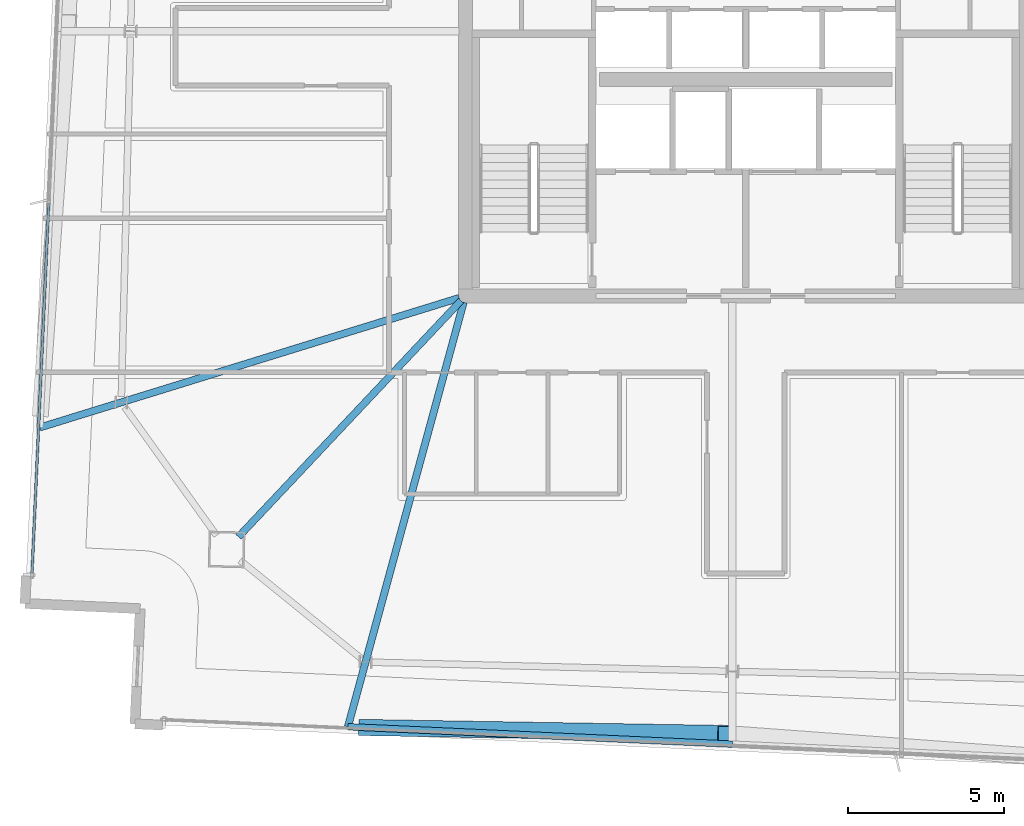
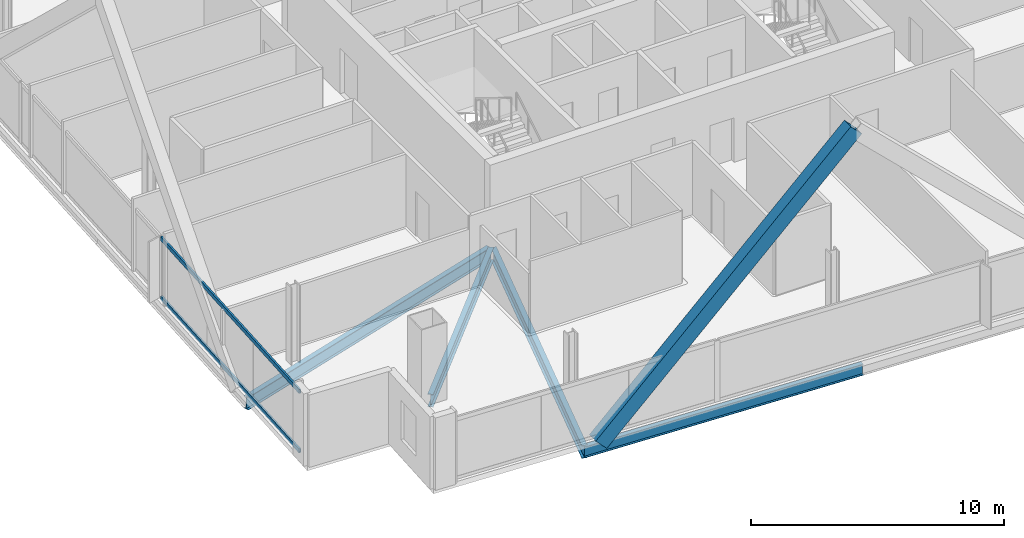
# One storey, part 3 of 26: 4 beams, 3 members, 1 element without a shape of its own.
"""IFC4 building model written with IfcOpenShell, lengths in metres."""

from ifc_helpers import new_model, si_unit, direction, frame, origin, origin_2d, place, context, subcontext, project, spatial, hollow_rectangle, i_section, extrude, material, material_profile, profile_set, type_object, element, aggregate, save


model = new_model("IFC4")

# Units and contexts
model_context = context("Model", 3, precision=1e-05, world=origin(), true_north=direction((0.0, 1.0)))
body_context = subcontext(model_context, "Body", "Model", "MODEL_VIEW")
ifc_project = project(units=[si_unit("LENGTHUNIT", "METRE"), si_unit("AREAUNIT", "SQUARE_METRE"), si_unit("VOLUMEUNIT", "CUBIC_METRE"), si_unit("PLANEANGLEUNIT", "RADIAN"), si_unit("MASSUNIT", "GRAM", prefix="KILO")], contexts=[model_context])

# Site, building, storey
site_placement = place(None, origin())
site = spatial("IfcSite", under=ifc_project, at=site_placement, CompositionType="ELEMENT")
building_placement = place(site_placement, origin())
building = spatial("IfcBuilding", under=site, at=building_placement, Name="Haldenkirk Collegiate Tower", CompositionType="ELEMENT")
storey_placement = place(building_placement, frame((0.0, 0.0, 321.449951171875)))
storey = spatial("IfcBuildingStorey", under=building, at=storey_placement, Name="L81", CompositionType="ELEMENT", Elevation=321.449951171875)

# Beams
ifc_material_1 = material(Name="Steel ASTM A992 Grade 50", Category="steel")
ifc_material_profile_1 = material_profile(ifc_material_1, i_section(OverallWidth=0.22998046875, OverallDepth=0.616943359375, WebThickness=0.01318359375, FlangeThickness=0.022216796875, at=origin_2d()), Name="W24X94")
ifc_profile_set_1 = profile_set([ifc_material_profile_1], Name="Steel ASTM A992 Grade 50")
beam_type_1 = type_object("IfcBeamType", Name="BM-GIRDER-W24X94", PredefinedType="BEAM", material=ifc_profile_set_1)
beam_1_placement = place(storey_placement, frame((19.717041015625, 10.2705078125, -0.568359375), z_axis=(0.685767478835, 0.72782069562, 0.0), x_axis=(-0.72782069562, 0.685767478835, 0.0)))
element("IfcBeam", 1, at=beam_1_placement, inside=storey, type_object=beam_type_1, Name="L81 primary floor girder 04", PredefinedType="BEAM", context=body_context, shape_type="SweptSolid", body=[
    extrude(i_section(OverallWidth=0.22998046875, OverallDepth=0.616943359375, WebThickness=0.01318359375, FlangeThickness=0.022216796875, at=origin_2d()), origin(), (0.0, 0.0, 1.0), 10.4150390625),
])
beam_2_placement = place(storey_placement, frame((13.34228515625, 13.780517578125, -0.568359375), z_axis=(0.955443075256, 0.295175422325, 0.0), x_axis=(-0.295175422325, 0.955443075256, 0.0)))
element("IfcBeam", 2, at=beam_2_placement, inside=storey, type_object=beam_type_1, Name="L81 primary floor girder 13", PredefinedType="BEAM", context=body_context, shape_type="SweptSolid", body=[
    extrude(i_section(OverallWidth=0.22998046875, OverallDepth=0.616943359375, WebThickness=0.01318359375, FlangeThickness=0.022216796875, at=origin_2d()), origin(), (0.0, 0.0, 1.0), 14.089599609375),
])
beam_3_placement = place(storey_placement, frame((23.230224609375, 4.1767578125, -0.568359375), z_axis=(0.263102778598, 0.964767810353, 0.0), x_axis=(-0.964767810353, 0.263102778598, 0.0)))
element("IfcBeam", 3, at=beam_3_placement, inside=storey, type_object=beam_type_1, Name="L81 primary floor girder 14", PredefinedType="BEAM", context=body_context, shape_type="SweptSolid", body=[
    extrude(i_section(OverallWidth=0.22998046875, OverallDepth=0.616943359375, WebThickness=0.01318359375, FlangeThickness=0.022216796875, at=origin_2d()), origin(), (0.0, 0.0, 1.0), 14.123046875),
])
ifc_material_profile_2 = material_profile(ifc_material_1, i_section(OverallWidth=0.2099609375, OverallDepth=0.537109375, WebThickness=0.010986328125, FlangeThickness=0.017333984375, at=origin_2d()), Name="W21X68")
ifc_profile_set_2 = profile_set([ifc_material_profile_2], Name="Steel ASTM A992 Grade 50")
beam_type_2 = type_object("IfcBeamType", Name="BM-SPANDREL-W21X68", PredefinedType="SPANDREL", material=ifc_profile_set_2)
beam_4_placement = place(storey_placement, frame((23.230224609375, 4.1767578125, -0.528564453125), z_axis=(0.998971228576, -0.04534847822, 0.0), x_axis=(0.04534847822, 0.998971228576, 0.0)))
element("IfcBeam", 4, at=beam_4_placement, inside=storey, type_object=beam_type_2, Name="L81 outer facade edge beam 4A", PredefinedType="SPANDREL", context=body_context, shape_type="SweptSolid", body=[
    extrude(i_section(OverallWidth=0.2099609375, OverallDepth=0.537109375, WebThickness=0.010986328125, FlangeThickness=0.017333984375, at=origin_2d()), origin(), (0.0, 0.0, 1.0), 12.35009765625),
])

# Curtain wall, members
ifc_material_2 = material(Name="Anodised architectural bronze aluminium", Category="aluminium")
curtain_wall_type = type_object("IfcCurtainWallType", Name="CW-SYS1B-CONVEX-HI", PredefinedType="USERDEFINED", material=ifc_material_2)
curtain_wall_placement = place(storey_placement, origin())
curtain_wall = element("IfcCurtainWall", 5, at=curtain_wall_placement, inside=storey, type_object=curtain_wall_type, Name="L81 Upper tower high-wind convex bronze unitised curtain wall", ObjectType="UNITISED CURTAIN WALL", PredefinedType="USERDEFINED")
ifc_material_profile_3 = material_profile(ifc_material_2, hollow_rectangle(XDim=0.0849609375, YDim=0.199951171875, WallThickness=0.0048828125, at=origin_2d()), Name="CW-TRN-1B")
ifc_profile_set_3 = profile_set([ifc_material_profile_3], Name="Anodised architectural bronze aluminium")
member_type_1 = type_object("IfcMemberType", Name="CW-TRN-1B", PredefinedType="USERDEFINED", material=ifc_profile_set_3)
member_1_placement = place(storey_placement, frame((13.090087890625, 9.10693359375, 0.04248046875), z_axis=(0.045363819627, 0.998970532032, 0.0), x_axis=(-0.998970532032, 0.045363819627, 0.0)))
member_1 = element("IfcMember", 6, at=member_1_placement, type_object=member_type_1, Name="CW-1B transom 1.1", ObjectType="TRANSOM", PredefinedType="USERDEFINED", context=body_context, shape_type="SweptSolid", body=[
    extrude(hollow_rectangle(XDim=0.0849609375, YDim=0.199951171875, WallThickness=0.0048828125, at=origin_2d()), origin(), (0.0, 0.0, 1.0), 11.872314453125),
])
member_2_placement = place(storey_placement, frame((13.090087890625, 9.10693359375, 2.905517578125), z_axis=(0.045363819627, 0.998970532032, 0.0), x_axis=(-0.998970532032, 0.045363819627, 0.0)))
member_2 = element("IfcMember", 7, at=member_2_placement, type_object=member_type_1, Name="CW-1B transom 1.2", ObjectType="TRANSOM", PredefinedType="USERDEFINED", context=body_context, shape_type="SweptSolid", body=[
    extrude(hollow_rectangle(XDim=0.0849609375, YDim=0.199951171875, WallThickness=0.0048828125, at=origin_2d()), origin(), (0.0, 0.0, 1.0), 11.872314453125),
])
aggregate(curtain_wall, [member_1, member_2])

# Member
ifc_material_3 = material(Name="Steel ASTM A572 Grade 50", Category="steel")
ifc_material_profile_4 = material_profile(ifc_material_3, hollow_rectangle(XDim=0.52001953125, YDim=0.719970703125, WallThickness=0.035888671875, at=origin_2d()), Name="BOX720X520X36")
ifc_profile_set_4 = profile_set([ifc_material_profile_4], Name="Steel ASTM A572 Grade 50")
member_type_2 = type_object("IfcMemberType", Name="MBR-MEGABRACE-BOX720X520X36", PredefinedType="BRACE", material=ifc_profile_set_4)
member_3_placement = place(storey_placement, frame((23.82958984375, 4.149658203125, -0.27001953125), z_axis=(0.715413276598, -0.011901066395, 0.698600177703), x_axis=(0.016632931523, 0.999861663226, 0.0)))
element("IfcMember", 8, at=member_3_placement, inside=storey, type_object=member_type_2, Name="Perimeter Mega Brace Z6 L81-L83 WL", PredefinedType="BRACE", context=body_context, shape_type="SweptSolid", body=[
    extrude(hollow_rectangle(XDim=0.52001953125, YDim=0.719970703125, WallThickness=0.035888671875, at=origin_2d()), origin(), (0.0, 0.0, 1.0), 16.103515625),
])

save(model, "model.ifc")
